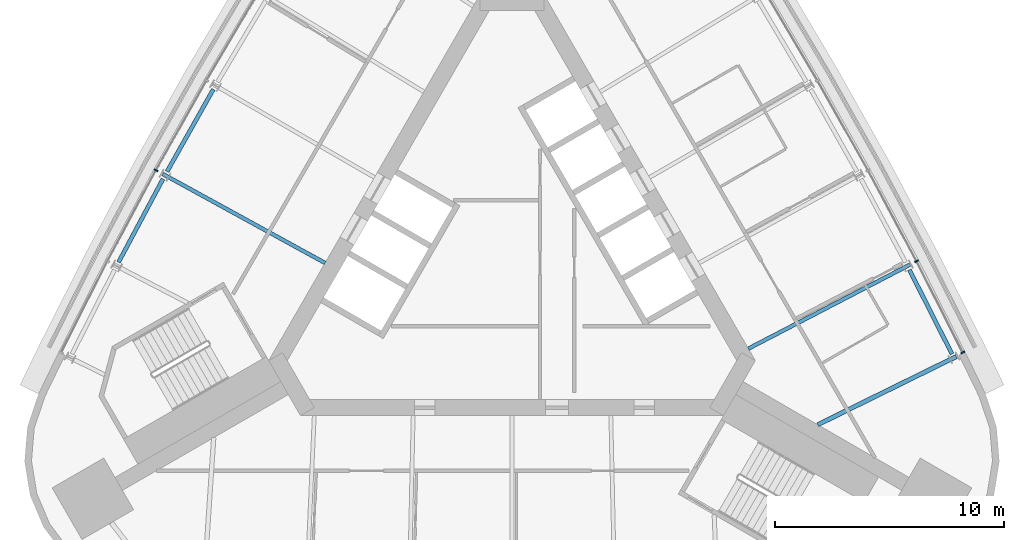
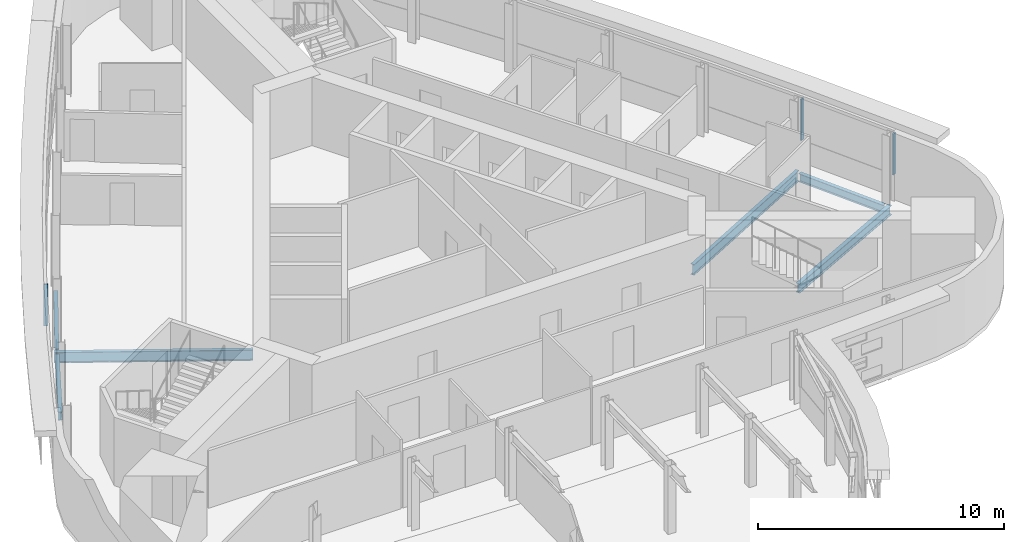
# One storey, part 6 of 15: 6 beams, 3 members, 2 elements without a shape of their own.
"""IFC4 building model written with IfcOpenShell, lengths in metres."""

from ifc_helpers import new_model, si_unit, direction, frame, origin, origin_2d, place, context, subcontext, project, spatial, rectangle, i_section, extrude, material, material_profile, profile_set, type_object, element, aggregate, save


model = new_model("IFC4")

# Units and contexts
model_context = context("Model", 3, precision=1e-05, world=origin(), true_north=direction((0.0, 1.0)))
body_context = subcontext(model_context, "Body", "Model", "MODEL_VIEW")
ifc_project = project(units=[si_unit("LENGTHUNIT", "METRE"), si_unit("AREAUNIT", "SQUARE_METRE"), si_unit("VOLUMEUNIT", "CUBIC_METRE"), si_unit("PLANEANGLEUNIT", "RADIAN"), si_unit("MASSUNIT", "GRAM", prefix="KILO")], contexts=[model_context])

# Site, building, storey
site_placement = place(None, origin())
site = spatial("IfcSite", under=ifc_project, at=site_placement, CompositionType="ELEMENT")
building_placement = place(site_placement, origin())
building = spatial("IfcBuilding", under=site, at=building_placement, Name="Noor Cloister Tower", CompositionType="ELEMENT")
storey_placement = place(building_placement, frame((0.0, 0.0, 225.60009765625)))
storey = spatial("IfcBuildingStorey", under=building, at=storey_placement, Name="L58", CompositionType="ELEMENT", Elevation=225.60009765625)

# Curtain wall, member
ifc_material_1 = material(Name="Aluminium 6063-T6 anodised", Category="aluminium")
curtain_wall_type = type_object("IfcCurtainWallType", Name="Ribbon curtain wall, upper tower CW5", PredefinedType="NOTDEFINED", material=ifc_material_1)
curtain_wall_1_placement = place(storey_placement, origin())
curtain_wall_1 = element("IfcCurtainWall", 1, at=curtain_wall_1_placement, inside=storey, type_object=curtain_wall_type, Name="CW5 L58 NW run 1", PredefinedType="NOTDEFINED")
ifc_material_2 = material(Name="Aluminium 6063-T6 anodised", Category="aluminium")
ifc_material_profile_1 = material_profile(ifc_material_2, rectangle(XDim=0.179931640625, YDim=0.070068359375, at=origin_2d()), Name="180 x 70 mullion")
ifc_profile_set_1 = profile_set([ifc_material_profile_1], Name="Aluminium 6063-T6 anodised")
member_type = type_object("IfcMemberType", Name="Mullion CW5 70 x 180", PredefinedType="MULLION", material=ifc_profile_set_1)
member_1_placement = place(storey_placement, frame((-15.5341796875, 3.775390625, 1.099853515625), z_axis=(0.0, 0.0, 1.0), x_axis=(0.8768790948, -0.480710987083, 0.0)))
member_1 = element("IfcMember", 2, at=member_1_placement, type_object=member_type, Name="CW5 mullion 5", PredefinedType="MULLION", context=body_context, shape_type="SweptSolid", body=[
    extrude(rectangle(XDim=0.179931640625, YDim=0.070068359375, at=origin_2d()), origin(), (0.0, 0.0, 1.0), 2.050048828125),
])
aggregate(curtain_wall_1, [member_1])

# Curtain wall, members
curtain_wall_2_placement = place(storey_placement, origin())
curtain_wall_2 = element("IfcCurtainWall", 3, at=curtain_wall_2_placement, inside=storey, type_object=curtain_wall_type, Name="CW5 L58 NE run 4", PredefinedType="NOTDEFINED")
member_2_placement = place(storey_placement, frame((19.667236328125, -4.175537109375, 1.099853515625), z_axis=(0.0, 0.0, 1.0), x_axis=(-0.892352618471, -0.451338901833, 0.0)))
member_2 = element("IfcMember", 4, at=member_2_placement, type_object=member_type, Name="CW5 mullion 1", PredefinedType="MULLION", context=body_context, shape_type="SweptSolid", body=[
    extrude(rectangle(XDim=0.179931640625, YDim=0.070068359375, at=origin_2d()), origin(), (0.0, 0.0, 1.0), 2.050048828125),
])
member_3_placement = place(storey_placement, frame((17.652587890625, -0.192138671875, 1.099853515625), z_axis=(0.0, 0.0, 1.0), x_axis=(-0.887303238306, -0.461186473449, 0.0)))
member_3 = element("IfcMember", 5, at=member_3_placement, type_object=member_type, Name="CW5 mullion 2", PredefinedType="MULLION", context=body_context, shape_type="SweptSolid", body=[
    extrude(rectangle(XDim=0.179931640625, YDim=0.070068359375, at=origin_2d()), origin(), (0.0, 0.0, 1.0), 2.050048828125),
])
aggregate(curtain_wall_2, [member_2, member_3])

# Beams
ifc_material_3 = material(Name="Steel ASTM A992 Gr 50", Category="steel")
ifc_material_profile_2 = material_profile(ifc_material_3, i_section(OverallWidth=0.19091796875, OverallDepth=0.45703125, WebThickness=0.009033203125, FlangeThickness=0.014404296875, FilletRadius=0.01025390625, at=origin_2d()), Name="W460x74")
ifc_profile_set_2 = profile_set([ifc_material_profile_2], Name="Steel ASTM A992 Gr 50")
beam_type_1 = type_object("IfcBeamType", Name="Radial beam W460x74", PredefinedType="BEAM", material=ifc_profile_set_2)
beam_1_placement = place(storey_placement, frame((19.3828125, -4.35302734375, -0.4287109375), z_axis=(-0.897293950697, -0.44143353525, 0.0), x_axis=(0.44143353525, -0.897293950697, 0.0)))
element("IfcBeam", 6, at=beam_1_placement, inside=storey, type_object=beam_type_1, Name="Radial beam NE 01 L58", PredefinedType="BEAM", context=body_context, shape_type="SweptSolid", body=[
    extrude(i_section(OverallWidth=0.19091796875, OverallDepth=0.45703125, WebThickness=0.009033203125, FlangeThickness=0.014404296875, FilletRadius=0.01025390625, at=origin_2d()), origin(), (0.0, 0.0, 1.0), 6.735107421875),
])
ifc_material_4 = material(Name="Steel ASTM A992 Gr 50", Category="steel")
ifc_material_profile_3 = material_profile(ifc_material_4, i_section(OverallWidth=0.166015625, OverallDepth=0.528076171875, WebThickness=0.009765625, FlangeThickness=0.013671875, FilletRadius=0.0126953125, at=origin_2d()), Name="W530x74")
ifc_profile_set_3 = profile_set([ifc_material_profile_3], Name="Steel ASTM A992 Gr 50")
beam_type_2 = type_object("IfcBeamType", Name="Radial beam W530x74", PredefinedType="BEAM", material=ifc_profile_set_3)
beam_2_placement = place(storey_placement, frame((-15.2412109375, 3.614990234375, -0.464111328125), z_axis=(0.876874036138, -0.480720214623, 0.0), x_axis=(0.480720214623, 0.876874036138, 0.0)))
element("IfcBeam", 7, at=beam_2_placement, inside=storey, type_object=beam_type_2, Name="Radial beam NW 05 L58", PredefinedType="BEAM", context=body_context, shape_type="SweptSolid", body=[
    extrude(i_section(OverallWidth=0.166015625, OverallDepth=0.528076171875, WebThickness=0.009765625, FlangeThickness=0.013671875, FilletRadius=0.0126953125, at=origin_2d()), origin(), (0.0, 0.0, 1.0), 8.08056640625),
])
beam_3_placement = place(storey_placement, frame((17.356201171875, -0.34619140625, -0.464111328125), z_axis=(-0.887304410433, -0.461184218318, 0.0), x_axis=(0.461184218318, -0.887304410433, 0.0)))
element("IfcBeam", 8, at=beam_3_placement, inside=storey, type_object=beam_type_2, Name="Radial beam NE 02 L58", PredefinedType="BEAM", context=body_context, shape_type="SweptSolid", body=[
    extrude(i_section(OverallWidth=0.166015625, OverallDepth=0.528076171875, WebThickness=0.009765625, FlangeThickness=0.013671875, FilletRadius=0.0126953125, at=origin_2d()), origin(), (0.0, 0.0, 1.0), 7.9375),
])
ifc_material_5 = material(Name="Steel ASTM A992 Gr 50", Category="steel")
ifc_material_profile_4 = material_profile(ifc_material_5, i_section(OverallWidth=0.177978515625, OverallDepth=0.406005859375, WebThickness=0.0078125, FlangeThickness=0.0126953125, FilletRadius=0.01025390625, at=origin_2d()), Name="W410x60")
ifc_profile_set_4 = profile_set([ifc_material_profile_4], Name="Steel ASTM A992 Gr 50")
beam_type_3 = type_object("IfcBeamType", Name="Spandrel beam W410x60", PredefinedType="SPANDREL", material=ifc_profile_set_4)
beam_4_placement = place(storey_placement, frame((-13.0302734375, 7.3076171875, -0.403076171875), z_axis=(-0.490396452129, -0.871499466288, 0.0), x_axis=(0.871499466288, -0.490396452129, 0.0)))
element("IfcBeam", 9, at=beam_4_placement, inside=storey, type_object=beam_type_3, Name="Spandrel beam NW 04 L58", PredefinedType="SPANDREL", context=body_context, shape_type="SweptSolid", body=[
    extrude(i_section(OverallWidth=0.177978515625, OverallDepth=0.406005859375, WebThickness=0.0078125, FlangeThickness=0.0126953125, FilletRadius=0.01025390625, at=origin_2d()), origin(), (0.0, 0.0, 1.0), 4.11474609375),
])
for number, where, z_axis, x_axis, name in (
    (10, (-15.227294921875, 3.39453125, -0.403076171875), (-0.471000859452, -0.882132751005, 0.0), (0.882132751005, -0.471000859452, 0.0), "Spandrel beam NW 05 L58"),
    (11, (19.194580078125, -4.23779296875, -0.403076171875), (-0.451362231773, 0.892340818146, 0.0), (-0.892340818146, -0.451362231773, 0.0), "Spandrel beam NE 01 L58"),
):
    element("IfcBeam", number, at=place(storey_placement, frame(where, z_axis=z_axis, x_axis=x_axis)), inside=storey, type_object=beam_type_3, Name=name, PredefinedType="SPANDREL", context=body_context, shape_type="SweptSolid", body=[
        extrude(i_section(OverallWidth=0.177978515625, OverallDepth=0.406005859375, WebThickness=0.0078125, FlangeThickness=0.0126953125, FilletRadius=0.01025390625, at=origin_2d()), origin(), (0.0, 0.0, 1.0), 4.114501953125),
    ])

save(model, "model.ifc")
